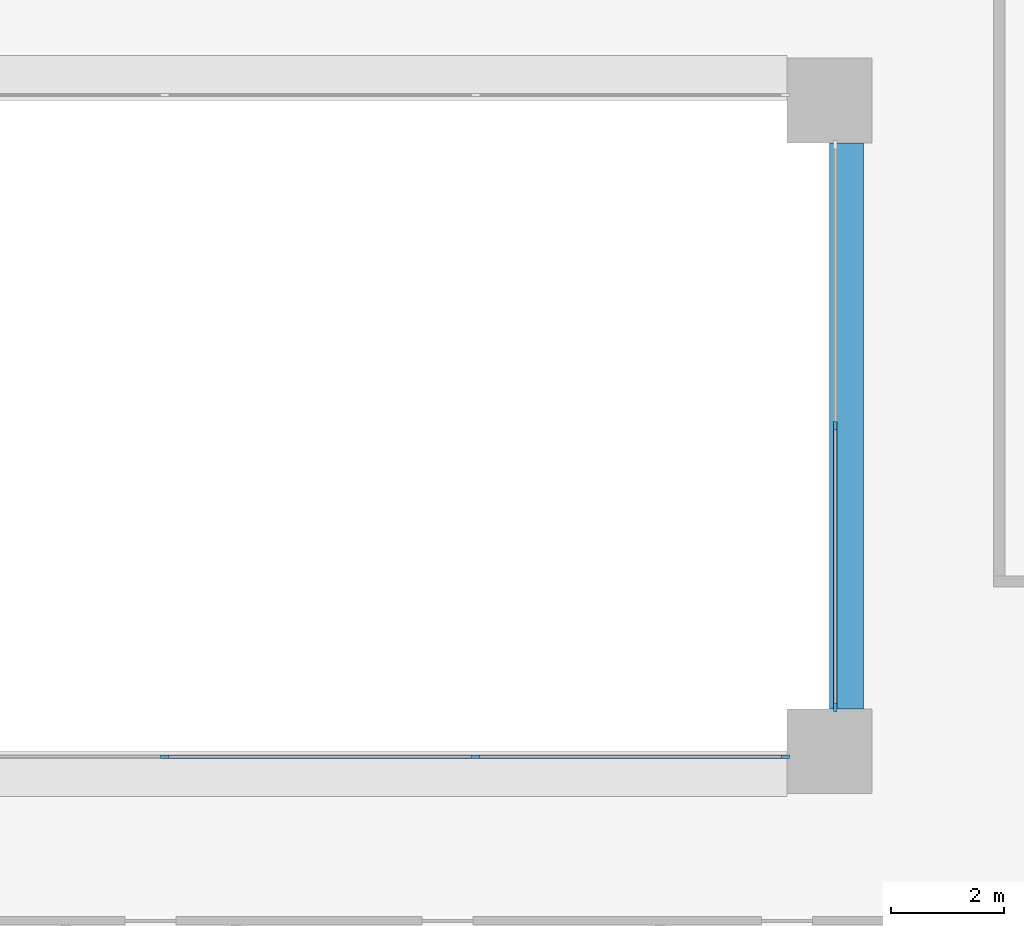
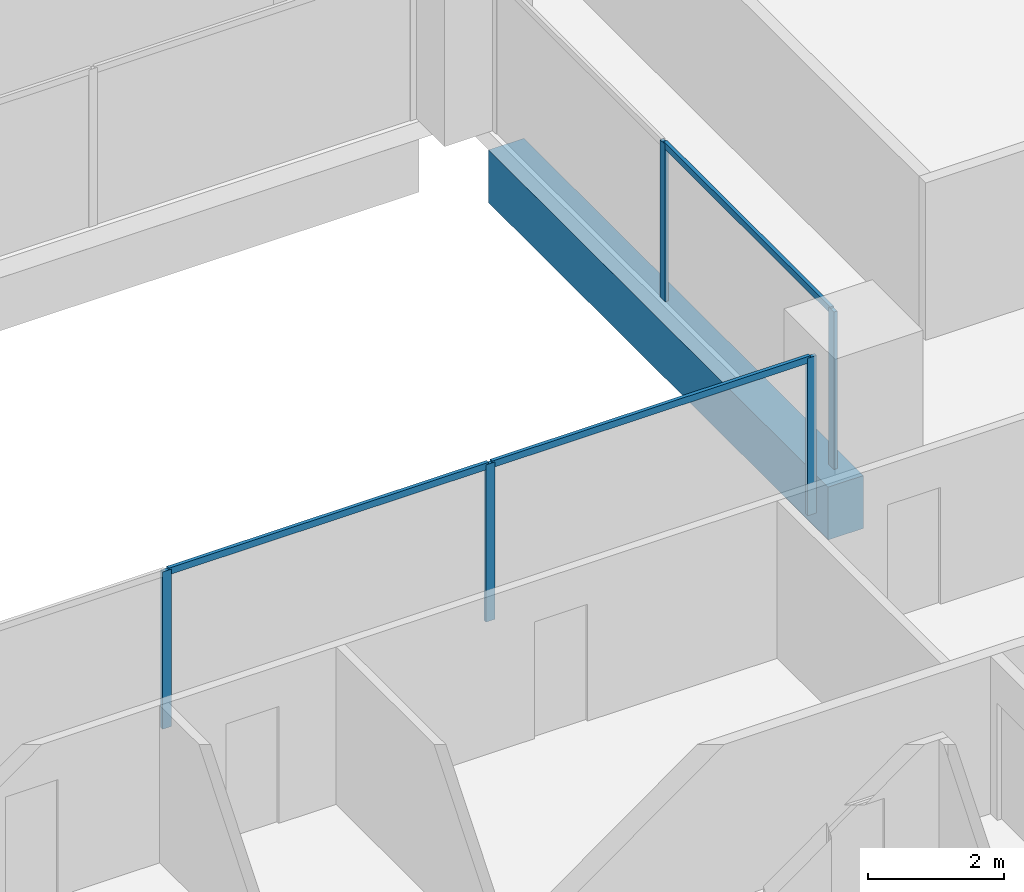
# One storey, part 4 of 20: 8 members, 1 beam, 2 elements without a shape of their own.
"""IFC4 building model written with IfcOpenShell, lengths in metres."""

from ifc_helpers import new_model, si_unit, direction, frame, origin, origin_2d, place, context, subcontext, project, spatial, rectangle, extrude, material, layer, layer_set, material_profile, profile_set, type_object, element, aggregate, save


model = new_model("IFC4")

# Units and contexts
model_context = context("Model", 3, precision=1e-05, world=origin(), true_north=direction((0.0, 1.0)))
body_context = subcontext(model_context, "Body", "Model", "MODEL_VIEW")
ifc_project = project(units=[si_unit("LENGTHUNIT", "METRE"), si_unit("AREAUNIT", "SQUARE_METRE"), si_unit("VOLUMEUNIT", "CUBIC_METRE"), si_unit("PLANEANGLEUNIT", "RADIAN"), si_unit("MASSUNIT", "GRAM", prefix="KILO")], contexts=[model_context])

# Site, building, storey
site_placement = place(None, origin())
site = spatial("IfcSite", under=ifc_project, at=site_placement, CompositionType="ELEMENT")
building_placement = place(site_placement, origin())
building = spatial("IfcBuilding", under=site, at=building_placement, Name="Brigalow Station Residences", CompositionType="ELEMENT")
storey_placement = place(building_placement, frame((0.0, 0.0, 63.60009765625)))
storey = spatial("IfcBuildingStorey", under=building, at=storey_placement, Name="L18", CompositionType="ELEMENT", Elevation=63.60009765625)

# Beam
ifc_material_1 = material(Name="Concrete C65", Category="concrete")
ifc_material_profile_1 = material_profile(ifc_material_1, rectangle(XDim=0.60009765625, YDim=0.949951171875, at=origin_2d()), Name="RC600x950")
ifc_profile_set_1 = profile_set([ifc_material_profile_1], Name="Concrete C65")
beam_type = type_object("IfcBeamType", Name="ATRIUM EDGE GIRDER 600x950 C65", PredefinedType="BEAM", material=ifc_profile_set_1)
beam_placement = place(storey_placement, frame((45.300048828125, 24.75, -0.795166015625), z_axis=(0.0, 1.0, 0.0), x_axis=(-1.0, 0.0, 0.0)))
element("IfcBeam", 1, at=beam_placement, inside=storey, type_object=beam_type, Name="ATRIUM EDGE GIRDER 5 L18", PredefinedType="BEAM", context=body_context, shape_type="SweptSolid", body=[
    extrude(rectangle(XDim=0.60009765625, YDim=0.949951171875, at=origin_2d()), origin(), (0.0, 0.0, 1.0), 10.0),
])

# Curtain wall, members
ifc_material_2 = material(Name="Aluminium", Category="aluminium")
ifc_layer = layer(ifc_material_2, 0.14990234375)
ifc_layer_set = layer_set([ifc_layer], Name="ATRIUM FIRE-RATED GLAZING CURTAIN WALL")
curtain_wall_type = type_object("IfcCurtainWallType", Name="ATRIUM FIRE-RATED GLAZING CURTAIN WALL", PredefinedType="NOTDEFINED", material=ifc_layer_set)
curtain_wall_1_placement = place(storey_placement, origin())
curtain_wall_1 = element("IfcCurtainWall", 2, at=curtain_wall_1_placement, inside=storey, type_object=curtain_wall_type, Name="L18/cw/atrium-S", PredefinedType="NOTDEFINED")
ifc_material_3 = material(Name="Aluminium", Category="aluminium")
ifc_material_profile_2 = material_profile(ifc_material_3, rectangle(XDim=0.06005859375, YDim=0.14990234375, at=origin_2d()), Name="ATRIUM FIRE-RATED GLAZING MULLION 60x150")
ifc_profile_set_2 = profile_set([ifc_material_profile_2], Name="Aluminium")
member_type_1 = type_object("IfcMemberType", Name="ATRIUM FIRE-RATED GLAZING MULLION 60x150", PredefinedType="MULLION", material=ifc_profile_set_2)
member_1_placement = place(storey_placement, frame((33.25, 23.89990234375, 0.0), z_axis=(0.0, 0.0, 1.0), x_axis=(0.0, 1.0, 0.0)))
member_1 = element("IfcMember", 3, at=member_1_placement, type_object=member_type_1, Name="L18/cw/atrium-S/M01", PredefinedType="MULLION", context=body_context, shape_type="SweptSolid", body=[
    extrude(rectangle(XDim=0.06005859375, YDim=0.14990234375, at=origin_2d()), origin(), (0.0, 0.0, 1.0), 2.829833984375),
])
member_2_placement = place(storey_placement, frame((38.75, 23.89990234375, 0.0), z_axis=(0.0, 0.0, 1.0), x_axis=(0.0, 1.0, 0.0)))
member_2 = element("IfcMember", 4, at=member_2_placement, type_object=member_type_1, Name="L18/cw/atrium-S/M02", PredefinedType="MULLION", context=body_context, shape_type="SweptSolid", body=[
    extrude(rectangle(XDim=0.06005859375, YDim=0.14990234375, at=origin_2d()), origin(), (0.0, 0.0, 1.0), 2.829833984375),
])
member_3_placement = place(storey_placement, frame((44.219970703125, 23.89990234375, 0.0), z_axis=(0.0, 0.0, 1.0), x_axis=(0.0, 1.0, 0.0)))
member_3 = element("IfcMember", 5, at=member_3_placement, type_object=member_type_1, Name="L18/cw/atrium-S/M03", PredefinedType="MULLION", context=body_context, shape_type="SweptSolid", body=[
    extrude(rectangle(XDim=0.06005859375, YDim=0.14990234375, at=origin_2d()), origin(), (0.0, 0.0, 1.0), 2.829833984375),
])

curtain_wall_2_placement = place(storey_placement, origin())
curtain_wall_2 = element("IfcCurtainWall", 6, at=curtain_wall_2_placement, inside=storey, type_object=curtain_wall_type, Name="L18/cw/atrium-E", PredefinedType="NOTDEFINED")
member_4_placement = place(storey_placement, frame((45.10009765625, 24.780029296875, 0.0), z_axis=(0.0, 0.0, 1.0), x_axis=(-1.0, 0.0, 0.0)))
member_4 = element("IfcMember", 7, at=member_4_placement, type_object=member_type_1, Name="L18/cw/atrium-E/M00", PredefinedType="MULLION", context=body_context, shape_type="SweptSolid", body=[
    extrude(rectangle(XDim=0.06005859375, YDim=0.14990234375, at=origin_2d()), origin(), (0.0, 0.0, 1.0), 2.829833984375),
])
member_5_placement = place(storey_placement, frame((45.10009765625, 29.75, 0.0), z_axis=(0.0, 0.0, 1.0), x_axis=(-1.0, 0.0, 0.0)))
member_5 = element("IfcMember", 8, at=member_5_placement, type_object=member_type_1, Name="L18/cw/atrium-E/M01", PredefinedType="MULLION", context=body_context, shape_type="SweptSolid", body=[
    extrude(rectangle(XDim=0.06005859375, YDim=0.14990234375, at=origin_2d()), origin(), (0.0, 0.0, 1.0), 2.829833984375),
])

# Member
ifc_material_4 = material(Name="Aluminium", Category="aluminium")
ifc_material_profile_3 = material_profile(ifc_material_4, rectangle(XDim=0.06005859375, YDim=0.1201171875, at=origin_2d()), Name="ATRIUM FIRE-RATED GLAZING TRANSOM 60x120")
ifc_profile_set_3 = profile_set([ifc_material_profile_3], Name="Aluminium")
member_type_2 = type_object("IfcMemberType", Name="ATRIUM FIRE-RATED GLAZING TRANSOM 60x120", PredefinedType="USERDEFINED", material=ifc_profile_set_3)
member_6_placement = place(storey_placement, frame((33.280029296875, 23.89990234375, 2.7998046875), z_axis=(1.0, 0.0, 0.0), x_axis=(0.0, 1.0, 0.0)))
member_6 = element("IfcMember", 9, at=member_6_placement, type_object=member_type_2, Name="L18/cw/atrium-S/T01-00", ObjectType="TRANSOM", PredefinedType="USERDEFINED", context=body_context, shape_type="SweptSolid", body=[
    extrude(rectangle(XDim=0.06005859375, YDim=0.1201171875, at=origin_2d()), origin(), (0.0, 0.0, 1.0), 5.43994140625),
])

member_7_placement = place(storey_placement, frame((38.780029296875, 23.89990234375, 2.7998046875), z_axis=(1.0, 0.0, 0.0), x_axis=(0.0, 1.0, 0.0)))
member_7 = element("IfcMember", 10, at=member_7_placement, type_object=member_type_2, Name="L18/cw/atrium-S/T02-00", ObjectType="TRANSOM", PredefinedType="USERDEFINED", context=body_context, shape_type="SweptSolid", body=[
    extrude(rectangle(XDim=0.06005859375, YDim=0.1201171875, at=origin_2d()), origin(), (0.0, 0.0, 1.0), 5.409912109375),
])

aggregate(curtain_wall_1, [member_1, member_2, member_3, member_6, member_7])

member_8_placement = place(storey_placement, frame((45.10009765625, 24.81005859375, 2.7998046875), z_axis=(0.0, 1.0, 0.0), x_axis=(-1.0, 0.0, 0.0)))
member_8 = element("IfcMember", 11, at=member_8_placement, type_object=member_type_2, Name="L18/cw/atrium-E/T00-00", ObjectType="TRANSOM", PredefinedType="USERDEFINED", context=body_context, shape_type="SweptSolid", body=[
    extrude(rectangle(XDim=0.06005859375, YDim=0.1201171875, at=origin_2d()), origin(), (0.0, 0.0, 1.0), 4.909912109375),
])

aggregate(curtain_wall_2, [member_4, member_5, member_8])

save(model, "model.ifc")
